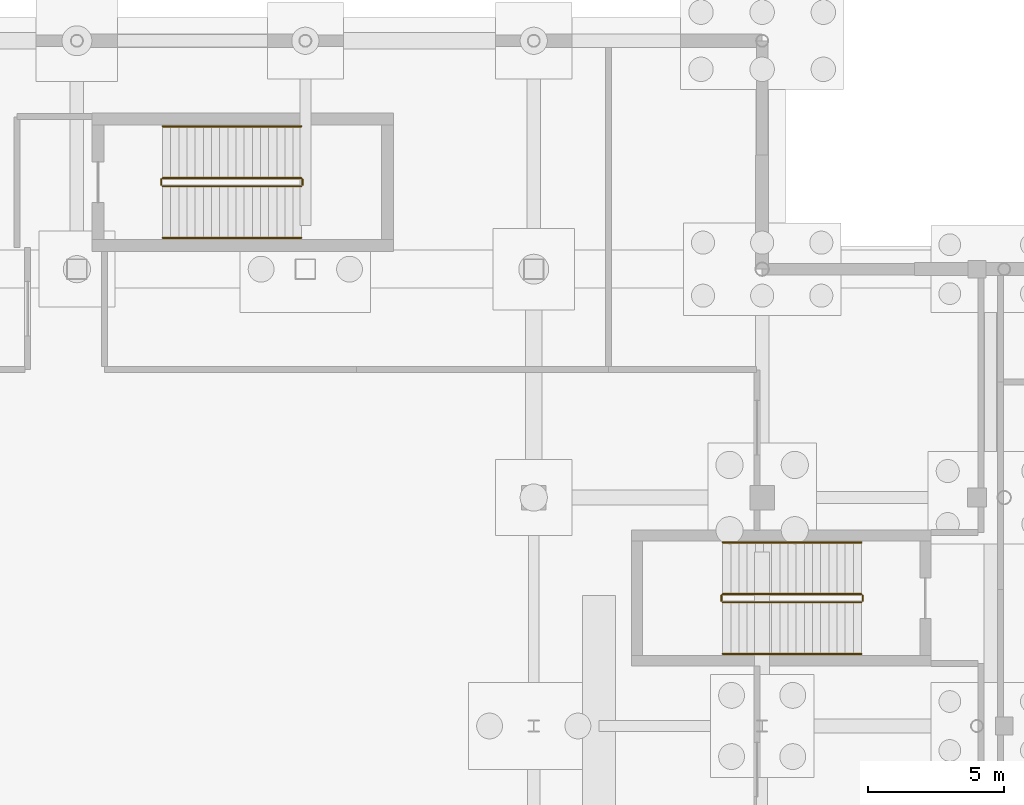
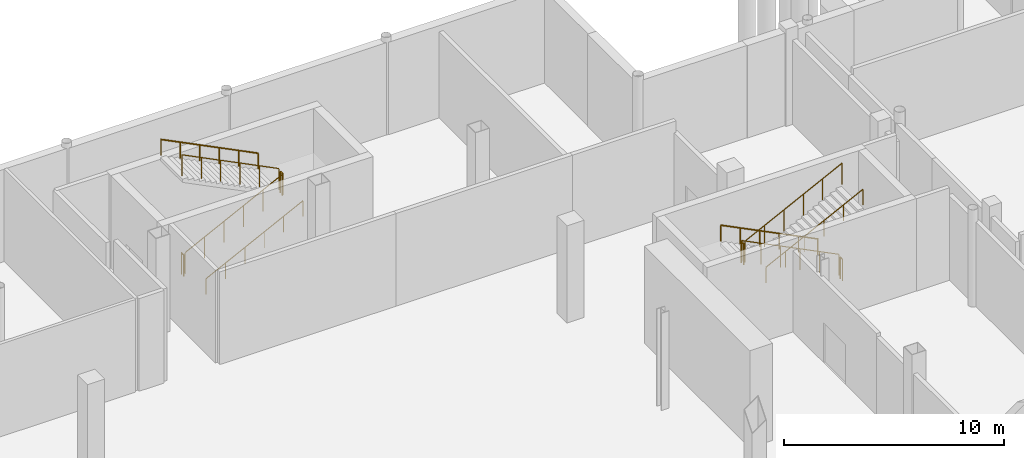
# One storey, part 43 of 49: 12 railings.
"""IFC4 building model written with IfcOpenShell, lengths in metres."""

from ifc_helpers import new_model, si_unit, direction, frame, origin, origin_2d, place, context, subcontext, project, spatial, circle, extrude, material, type_object, element, save


model = new_model("IFC4")

# Units and contexts
model_context = context("Model", 3, precision=1e-05, world=origin(), true_north=direction((0.0, 1.0)))
body_context = subcontext(model_context, "Body", "Model", "MODEL_VIEW")
ifc_project = project(units=[si_unit("LENGTHUNIT", "METRE"), si_unit("AREAUNIT", "SQUARE_METRE"), si_unit("VOLUMEUNIT", "CUBIC_METRE"), si_unit("PLANEANGLEUNIT", "RADIAN"), si_unit("MASSUNIT", "GRAM", prefix="KILO"), si_unit("THERMODYNAMICTEMPERATUREUNIT", "KELVIN")], contexts=[model_context])

# Site, building, storey
site_placement = place(None, origin())
site = spatial("IfcSite", under=ifc_project, at=site_placement, CompositionType="ELEMENT")
building_placement = place(site_placement, origin())
building = spatial("IfcBuilding", under=site, at=building_placement, Name="Lustrewick Department Store", CompositionType="ELEMENT")
storey_placement = place(building_placement, frame((0.0, 0.0, -5.39990234375)))
storey = spatial("IfcBuildingStorey", under=building, at=storey_placement, Name="B1", CompositionType="ELEMENT", Elevation=-5.39990234375)

# Railings
ifc_material_1 = material(Name="Painted tubular steel stairwell guardrail", Category="steel")
railing_type_1 = type_object("IfcRailingType", Name="RL-STG", PredefinedType="GUARDRAIL", material=ifc_material_1)
railing_1_placement = place(storey_placement, frame((54.050048828125, 72.050048828125, 0.14990234375)))
element("IfcRailing", 1, at=railing_1_placement, inside=storey, type_object=railing_type_1, Name="B1 ST02 Stair Guard 1", PredefinedType="GUARDRAIL", context=body_context, shape_type="SweptSolid", body=[
    extrude(circle(Radius=0.02392578125, at=origin_2d()), frame((0.0, 0.0, 1.17578125), z_axis=(-0.894427191, 0.0, 0.4472135955), x_axis=(0.0, -1.0, 0.0)), (0.0, 0.0, 1.0), 5.7021484375),
    extrude(circle(Radius=0.02099609375, at=origin_2d()), origin(), (0.0, 0.0, 1.0), 1.15185546875),
    extrude(circle(Radius=0.02099609375, at=origin_2d()), frame((-1.02001953125, 0.0, 0.510009765625)), (0.0, 0.0, 1.0), 1.15185546875),
    extrude(circle(Radius=0.02099609375, at=origin_2d()), frame((-2.0400390625, 0.0, 1.02001953125)), (0.0, 0.0, 1.0), 1.15185546875),
    extrude(circle(Radius=0.02099609375, at=origin_2d()), frame((-3.06005859375, 0.0, 1.530029296875)), (0.0, 0.0, 1.0), 1.15185546875),
    extrude(circle(Radius=0.02099609375, at=origin_2d()), frame((-4.080078125, 0.0, 2.0400390625)), (0.0, 0.0, 1.0), 1.15185546875),
    extrude(circle(Radius=0.02099609375, at=origin_2d()), frame((-5.10009765625, 0.0, 2.550048828125)), (0.0, 0.0, 1.0), 1.15185546875),
])
railing_2_placement = place(storey_placement, frame((48.89990234375, 72.0, 2.699951171875)))
element("IfcRailing", 2, at=railing_2_placement, inside=storey, type_object=railing_type_1, Name="B1 ST02 Stair Guard 2", PredefinedType="GUARDRAIL", context=body_context, shape_type="SweptSolid", body=[
    extrude(circle(Radius=0.02392578125, at=origin_2d()), frame((0.0, 0.0, 1.17578125), z_axis=(0.0, -1.0, 0.0), x_axis=(1.0, 0.0, 0.0)), (0.0, 0.0, 1.0), 0.199951171875),
    extrude(circle(Radius=0.02099609375, at=origin_2d()), origin(), (0.0, 0.0, 1.0), 1.15185546875),
    extrude(circle(Radius=0.02099609375, at=origin_2d()), frame((0.0, -0.199951171875, 0.0)), (0.0, 0.0, 1.0), 1.15185546875),
])
railing_3_placement = place(storey_placement, frame((48.949951171875, 71.75, 2.849853515625)))
element("IfcRailing", 3, at=railing_3_placement, inside=storey, type_object=railing_type_1, Name="B1 ST02 Stair Guard 3", PredefinedType="GUARDRAIL", context=body_context, shape_type="SweptSolid", body=[
    extrude(circle(Radius=0.02392578125, at=origin_2d()), frame((0.0, 0.0, 1.17578125), z_axis=(0.894427191, 0.0, 0.4472135955), x_axis=(0.0, 1.0, 0.0)), (0.0, 0.0, 1.0), 5.7021484375),
    extrude(circle(Radius=0.02099609375, at=origin_2d()), origin(), (0.0, 0.0, 1.0), 1.15185546875),
    extrude(circle(Radius=0.02099609375, at=origin_2d()), frame((1.02001953125, 0.0, 0.510009765625)), (0.0, 0.0, 1.0), 1.15185546875),
    extrude(circle(Radius=0.02099609375, at=origin_2d()), frame((2.0400390625, 0.0, 1.02001953125)), (0.0, 0.0, 1.0), 1.15185546875),
    extrude(circle(Radius=0.02099609375, at=origin_2d()), frame((3.06005859375, 0.0, 1.530029296875)), (0.0, 0.0, 1.0), 1.15185546875),
    extrude(circle(Radius=0.02099609375, at=origin_2d()), frame((4.080078125, 0.0, 2.0400390625)), (0.0, 0.0, 1.0), 1.15185546875),
    extrude(circle(Radius=0.02099609375, at=origin_2d()), frame((5.10009765625, 0.0, 2.550048828125)), (0.0, 0.0, 1.0), 1.15185546875),
])
railing_4_placement = place(storey_placement, frame((54.10009765625, 72.0, 0.0)))
element("IfcRailing", 4, at=railing_4_placement, inside=storey, type_object=railing_type_1, Name="B1 ST02 Stair Guard 4", PredefinedType="GUARDRAIL", context=body_context, shape_type="SweptSolid", body=[
    extrude(circle(Radius=0.02392578125, at=origin_2d()), frame((0.0, 0.0, 1.17578125), z_axis=(0.0, -1.0, 0.0), x_axis=(1.0, 0.0, 0.0)), (0.0, 0.0, 1.0), 0.199951171875),
    extrude(circle(Radius=0.02099609375, at=origin_2d()), origin(), (0.0, 0.0, 1.0), 1.15185546875),
    extrude(circle(Radius=0.02099609375, at=origin_2d()), frame((0.0, -0.199951171875, 0.0)), (0.0, 0.0, 1.0), 1.15185546875),
])
railing_5_placement = place(storey_placement, frame((28.35009765625, 87.050048828125, 0.14990234375)))
element("IfcRailing", 5, at=railing_5_placement, inside=storey, type_object=railing_type_1, Name="B1 ST03 Stair Guard 1", PredefinedType="GUARDRAIL", context=body_context, shape_type="SweptSolid", body=[
    extrude(circle(Radius=0.02392578125, at=origin_2d()), frame((0.0, 0.0, 1.17578125), z_axis=(0.894418627299, 0.0, 0.447230722492), x_axis=(0.0, 1.0, 0.0)), (0.0, 0.0, 1.0), 5.701904296875),
    extrude(circle(Radius=0.02099609375, at=origin_2d()), origin(), (0.0, 0.0, 1.0), 1.15185546875),
    extrude(circle(Radius=0.02099609375, at=origin_2d()), frame((1.02001953125, 0.0, 0.510009765625)), (0.0, 0.0, 1.0), 1.15185546875),
    extrude(circle(Radius=0.02099609375, at=origin_2d()), frame((2.0400390625, 0.0, 1.02001953125)), (0.0, 0.0, 1.0), 1.15185546875),
    extrude(circle(Radius=0.02099609375, at=origin_2d()), frame((3.059814453125, 0.0, 1.530029296875)), (0.0, 0.0, 1.0), 1.15185546875),
    extrude(circle(Radius=0.02099609375, at=origin_2d()), frame((4.079833984375, 0.0, 2.0400390625)), (0.0, 0.0, 1.0), 1.15185546875),
    extrude(circle(Radius=0.02099609375, at=origin_2d()), frame((5.099853515625, 0.0, 2.550048828125)), (0.0, 0.0, 1.0), 1.15185546875),
])
railing_6_placement = place(storey_placement, frame((33.5, 87.10009765625, 2.699951171875)))
element("IfcRailing", 6, at=railing_6_placement, inside=storey, type_object=railing_type_1, Name="B1 ST03 Stair Guard 2", PredefinedType="GUARDRAIL", context=body_context, shape_type="SweptSolid", body=[
    extrude(circle(Radius=0.02392578125, at=origin_2d()), frame((0.0, 0.0, 1.17578125), z_axis=(0.0, 1.0, 0.0), x_axis=(-1.0, 0.0, 0.0)), (0.0, 0.0, 1.0), 0.199951171875),
    extrude(circle(Radius=0.02099609375, at=origin_2d()), origin(), (0.0, 0.0, 1.0), 1.15185546875),
    extrude(circle(Radius=0.02099609375, at=origin_2d()), frame((0.0, 0.199951171875, 0.0)), (0.0, 0.0, 1.0), 1.15185546875),
])
railing_7_placement = place(storey_placement, frame((33.449951171875, 87.35009765625, 2.849853515625)))
element("IfcRailing", 7, at=railing_7_placement, inside=storey, type_object=railing_type_1, Name="B1 ST03 Stair Guard 3", PredefinedType="GUARDRAIL", context=body_context, shape_type="SweptSolid", body=[
    extrude(circle(Radius=0.02392578125, at=origin_2d()), frame((0.0, 0.0, 1.17578125), z_axis=(-0.894418627299, 0.0, 0.447230722492), x_axis=(0.0, -1.0, 0.0)), (0.0, 0.0, 1.0), 5.701904296875),
    extrude(circle(Radius=0.02099609375, at=origin_2d()), origin(), (0.0, 0.0, 1.0), 1.15185546875),
    extrude(circle(Radius=0.02099609375, at=origin_2d()), frame((-1.02001953125, 0.0, 0.510009765625)), (0.0, 0.0, 1.0), 1.15185546875),
    extrude(circle(Radius=0.02099609375, at=origin_2d()), frame((-2.0400390625, 0.0, 1.02001953125)), (0.0, 0.0, 1.0), 1.15185546875),
    extrude(circle(Radius=0.02099609375, at=origin_2d()), frame((-3.059814453125, 0.0, 1.530029296875)), (0.0, 0.0, 1.0), 1.15185546875),
    extrude(circle(Radius=0.02099609375, at=origin_2d()), frame((-4.079833984375, 0.0, 2.0400390625)), (0.0, 0.0, 1.0), 1.15185546875),
    extrude(circle(Radius=0.02099609375, at=origin_2d()), frame((-5.099853515625, 0.0, 2.550048828125)), (0.0, 0.0, 1.0), 1.15185546875),
])
railing_8_placement = place(storey_placement, frame((28.300048828125, 87.10009765625, 0.0)))
element("IfcRailing", 8, at=railing_8_placement, inside=storey, type_object=railing_type_1, Name="B1 ST03 Stair Guard 4", PredefinedType="GUARDRAIL", context=body_context, shape_type="SweptSolid", body=[
    extrude(circle(Radius=0.02392578125, at=origin_2d()), frame((0.0, 0.0, 1.17578125), z_axis=(0.0, 1.0, 0.0), x_axis=(-1.0, 0.0, 0.0)), (0.0, 0.0, 1.0), 0.199951171875),
    extrude(circle(Radius=0.02099609375, at=origin_2d()), origin(), (0.0, 0.0, 1.0), 1.15185546875),
    extrude(circle(Radius=0.02099609375, at=origin_2d()), frame((0.0, 0.199951171875, 0.0)), (0.0, 0.0, 1.0), 1.15185546875),
])
ifc_material_2 = material(Name="Brushed stainless steel wall handrail", Category="steel")
railing_type_2 = type_object("IfcRailingType", Name="RL-STH", PredefinedType="HANDRAIL", material=ifc_material_2)
railing_9_placement = place(storey_placement, frame((54.050048828125, 73.949951171875, 0.14990234375)))
element("IfcRailing", 9, at=railing_9_placement, inside=storey, type_object=railing_type_2, Name="B1 ST02 Stair Handrail 1", PredefinedType="HANDRAIL", context=body_context, shape_type="SweptSolid", body=[
    extrude(circle(Radius=0.02392578125, at=origin_2d()), frame((0.0, 0.0, 0.8759765625), z_axis=(-0.894427191, 0.0, 0.4472135955), x_axis=(0.0, -1.0, 0.0)), (0.0, 0.0, 1.0), 5.7021484375),
    extrude(circle(Radius=0.02099609375, at=origin_2d()), origin(), (0.0, 0.0, 1.0), 0.851806640625),
    extrude(circle(Radius=0.02099609375, at=origin_2d()), frame((-1.02001953125, 0.0, 0.510009765625)), (0.0, 0.0, 1.0), 0.851806640625),
    extrude(circle(Radius=0.02099609375, at=origin_2d()), frame((-2.0400390625, 0.0, 1.02001953125)), (0.0, 0.0, 1.0), 0.851806640625),
    extrude(circle(Radius=0.02099609375, at=origin_2d()), frame((-3.06005859375, 0.0, 1.530029296875)), (0.0, 0.0, 1.0), 0.851806640625),
    extrude(circle(Radius=0.02099609375, at=origin_2d()), frame((-4.080078125, 0.0, 2.0400390625)), (0.0, 0.0, 1.0), 0.851806640625),
    extrude(circle(Radius=0.02099609375, at=origin_2d()), frame((-5.10009765625, 0.0, 2.550048828125)), (0.0, 0.0, 1.0), 0.851806640625),
])
railing_10_placement = place(storey_placement, frame((48.949951171875, 69.85009765625, 2.849853515625)))
element("IfcRailing", 10, at=railing_10_placement, inside=storey, type_object=railing_type_2, Name="B1 ST02 Stair Handrail 2", PredefinedType="HANDRAIL", context=body_context, shape_type="SweptSolid", body=[
    extrude(circle(Radius=0.02392578125, at=origin_2d()), frame((0.0, 0.0, 0.8759765625), z_axis=(0.894427191, 0.0, 0.4472135955), x_axis=(0.0, 1.0, 0.0)), (0.0, 0.0, 1.0), 5.7021484375),
    extrude(circle(Radius=0.02099609375, at=origin_2d()), origin(), (0.0, 0.0, 1.0), 0.851806640625),
    extrude(circle(Radius=0.02099609375, at=origin_2d()), frame((1.02001953125, 0.0, 0.510009765625)), (0.0, 0.0, 1.0), 0.851806640625),
    extrude(circle(Radius=0.02099609375, at=origin_2d()), frame((2.0400390625, 0.0, 1.02001953125)), (0.0, 0.0, 1.0), 0.851806640625),
    extrude(circle(Radius=0.02099609375, at=origin_2d()), frame((3.06005859375, 0.0, 1.530029296875)), (0.0, 0.0, 1.0), 0.851806640625),
    extrude(circle(Radius=0.02099609375, at=origin_2d()), frame((4.080078125, 0.0, 2.0400390625)), (0.0, 0.0, 1.0), 0.851806640625),
    extrude(circle(Radius=0.02099609375, at=origin_2d()), frame((5.10009765625, 0.0, 2.550048828125)), (0.0, 0.0, 1.0), 0.851806640625),
])
railing_11_placement = place(storey_placement, frame((28.35009765625, 85.14990234375, 0.14990234375)))
element("IfcRailing", 11, at=railing_11_placement, inside=storey, type_object=railing_type_2, Name="B1 ST03 Stair Handrail 1", PredefinedType="HANDRAIL", context=body_context, shape_type="SweptSolid", body=[
    extrude(circle(Radius=0.02392578125, at=origin_2d()), frame((0.0, 0.0, 0.8759765625), z_axis=(0.894418627299, 0.0, 0.447230722492), x_axis=(0.0, 1.0, 0.0)), (0.0, 0.0, 1.0), 5.701904296875),
    extrude(circle(Radius=0.02099609375, at=origin_2d()), origin(), (0.0, 0.0, 1.0), 0.851806640625),
    extrude(circle(Radius=0.02099609375, at=origin_2d()), frame((1.02001953125, 0.0, 0.510009765625)), (0.0, 0.0, 1.0), 0.851806640625),
    extrude(circle(Radius=0.02099609375, at=origin_2d()), frame((2.0400390625, 0.0, 1.02001953125)), (0.0, 0.0, 1.0), 0.851806640625),
    extrude(circle(Radius=0.02099609375, at=origin_2d()), frame((3.059814453125, 0.0, 1.530029296875)), (0.0, 0.0, 1.0), 0.851806640625),
    extrude(circle(Radius=0.02099609375, at=origin_2d()), frame((4.079833984375, 0.0, 2.0400390625)), (0.0, 0.0, 1.0), 0.851806640625),
    extrude(circle(Radius=0.02099609375, at=origin_2d()), frame((5.099853515625, 0.0, 2.550048828125)), (0.0, 0.0, 1.0), 0.851806640625),
])
railing_12_placement = place(storey_placement, frame((33.449951171875, 89.25, 2.849853515625)))
element("IfcRailing", 12, at=railing_12_placement, inside=storey, type_object=railing_type_2, Name="B1 ST03 Stair Handrail 2", PredefinedType="HANDRAIL", context=body_context, shape_type="SweptSolid", body=[
    extrude(circle(Radius=0.02392578125, at=origin_2d()), frame((0.0, 0.0, 0.8759765625), z_axis=(-0.894418627299, 0.0, 0.447230722492), x_axis=(0.0, -1.0, 0.0)), (0.0, 0.0, 1.0), 5.701904296875),
    extrude(circle(Radius=0.02099609375, at=origin_2d()), origin(), (0.0, 0.0, 1.0), 0.851806640625),
    extrude(circle(Radius=0.02099609375, at=origin_2d()), frame((-1.02001953125, 0.0, 0.510009765625)), (0.0, 0.0, 1.0), 0.851806640625),
    extrude(circle(Radius=0.02099609375, at=origin_2d()), frame((-2.0400390625, 0.0, 1.02001953125)), (0.0, 0.0, 1.0), 0.851806640625),
    extrude(circle(Radius=0.02099609375, at=origin_2d()), frame((-3.059814453125, 0.0, 1.530029296875)), (0.0, 0.0, 1.0), 0.851806640625),
    extrude(circle(Radius=0.02099609375, at=origin_2d()), frame((-4.079833984375, 0.0, 2.0400390625)), (0.0, 0.0, 1.0), 0.851806640625),
    extrude(circle(Radius=0.02099609375, at=origin_2d()), frame((-5.099853515625, 0.0, 2.550048828125)), (0.0, 0.0, 1.0), 0.851806640625),
])

save(model, "model.ifc")
